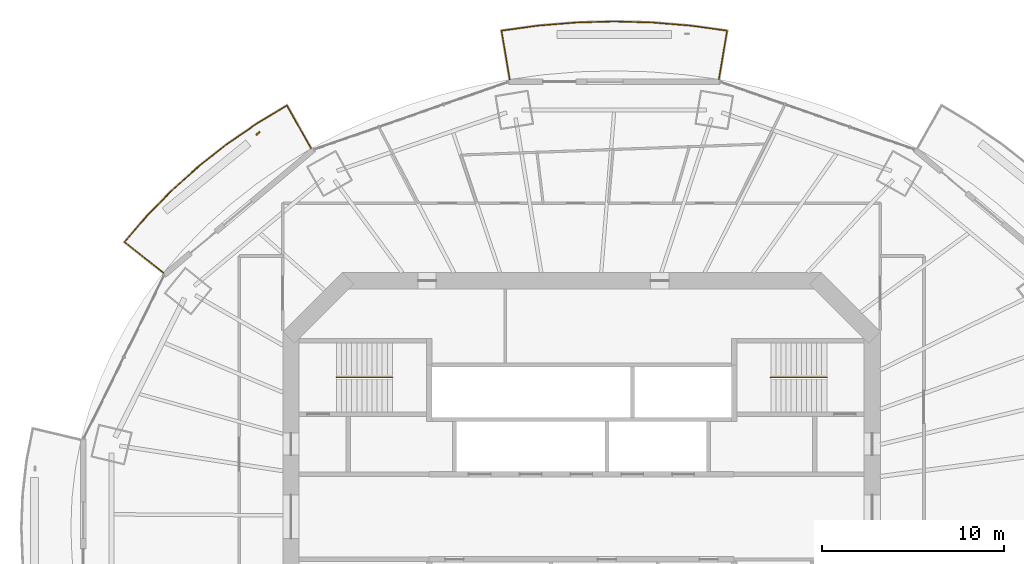
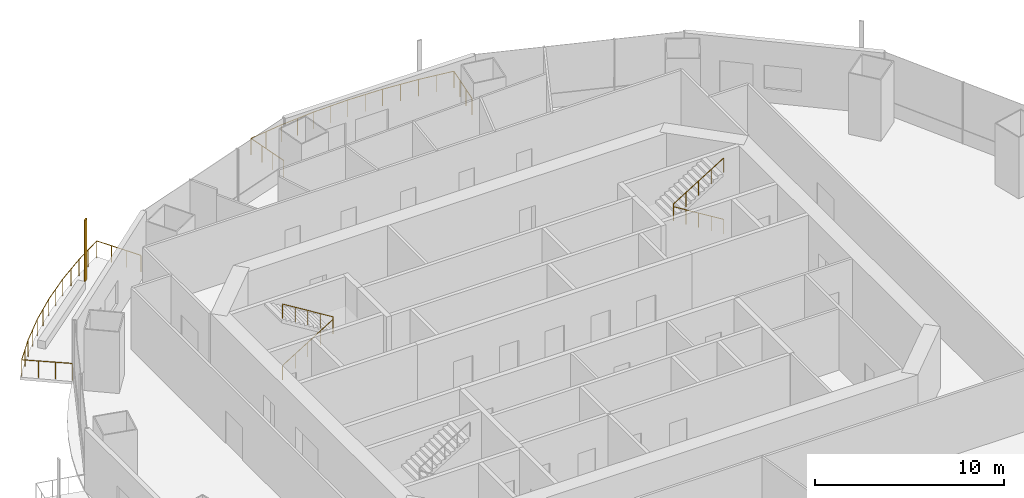
# One storey, part 17 of 19: 4 railings, 1 shading device.
"""IFC4 building model written with IfcOpenShell, lengths in metres."""

from ifc_helpers import new_model, si_unit, direction, frame, origin, origin_2d, place, context, subcontext, project, spatial, rectangle, circle, extrude, material, material_profile, profile_set, type_object, element, save


model = new_model("IFC4")

# Units and contexts
model_context = context("Model", 3, precision=1e-05, world=origin(), true_north=direction((0.0, 1.0)))
body_context = subcontext(model_context, "Body", "Model", "MODEL_VIEW")
ifc_project = project(units=[si_unit("LENGTHUNIT", "METRE"), si_unit("AREAUNIT", "SQUARE_METRE"), si_unit("VOLUMEUNIT", "CUBIC_METRE"), si_unit("PLANEANGLEUNIT", "RADIAN"), si_unit("MASSUNIT", "GRAM", prefix="KILO")], contexts=[model_context])

# Site, building, storey
site_placement = place(None, origin())
site = spatial("IfcSite", under=ifc_project, at=site_placement, CompositionType="ELEMENT")
building_placement = place(site_placement, origin())
building = spatial("IfcBuilding", under=site, at=building_placement, Name="Marenthal Gate Tower", CompositionType="ELEMENT")
storey_placement = place(building_placement, frame((0.0, 0.0, 248.199951171875)))
storey = spatial("IfcBuildingStorey", under=building, at=storey_placement, Name="L55", CompositionType="ELEMENT", Elevation=248.199951171875)

# Railings
ifc_material_1 = material(Name="Stainless steel", Category="steel")
railing_type_1 = type_object("IfcRailingType", Name="Balcony guard 1100", PredefinedType="GUARDRAIL", material=ifc_material_1)
railing_1_placement = place(storey_placement, frame((-3.958740234375, 24.083984375, 0.0)))
element("IfcRailing", 1, at=railing_1_placement, inside=storey, type_object=railing_type_1, Name="Balcony guard L55 bay 4", PredefinedType="GUARDRAIL", context=body_context, shape_type="SweptSolid", body=[
    extrude(circle(Radius=0.02392578125, at=origin_2d()), frame((0.0, 0.0, 1.076171875), z_axis=(-0.165050627973, 0.986175258386, -0.014719033707), x_axis=(-0.986282103159, -0.165068509984, 0.0)), (0.0, 0.0, 1.0), 2.72021484375),
    extrude(circle(Radius=0.02392578125, at=origin_2d()), frame((-0.448974609375, 2.6826171875, 1.0361328125), z_axis=(0.990661107933, 0.1363472377, 0.0), x_axis=(-0.1363472377, 0.990661107933, 0.0)), (0.0, 0.0, 1.0), 2.021484375),
    extrude(circle(Radius=0.02392578125, at=origin_2d()), frame((1.5537109375, 2.958251953125, 1.0361328125), z_axis=(0.996585629945, 0.082565623519, 0.0), x_axis=(-0.082565623519, 0.996585629945, 0.0)), (0.0, 0.0, 1.0), 2.105224609375),
    extrude(circle(Radius=0.02392578125, at=origin_2d()), frame((3.65185546875, 3.132080078125, 1.0361328125), z_axis=(0.999623123084, 0.02745199075, 0.0), x_axis=(-0.02745199075, 0.999623123084, 0.0)), (0.0, 0.0, 1.0), 2.107666015625),
    extrude(circle(Radius=0.02392578125, at=origin_2d()), frame((5.7587890625, 3.18994140625, 1.0361328125), z_axis=(0.999623123084, -0.02745199075, 0.0), x_axis=(0.02745199075, 0.999623123084, 0.0)), (0.0, 0.0, 1.0), 2.107666015625),
    extrude(circle(Radius=0.02392578125, at=origin_2d()), frame((7.86572265625, 3.132080078125, 1.0361328125), z_axis=(0.996585629945, -0.082565623519, 0.0), x_axis=(0.082565623519, 0.996585629945, 0.0)), (0.0, 0.0, 1.0), 2.105224609375),
    extrude(circle(Radius=0.02392578125, at=origin_2d()), frame((9.9638671875, 2.958251953125, 1.0361328125), z_axis=(0.990661107933, -0.1363472377, 0.0), x_axis=(0.1363472377, 0.990661107933, 0.0)), (0.0, 0.0, 1.0), 2.021484375),
    extrude(circle(Radius=0.02392578125, at=origin_2d()), frame((11.966552734375, 2.6826171875, 1.0361328125), z_axis=(-0.165050627973, -0.986175258386, 0.014719033707), x_axis=(0.986282103159, -0.165068509984, 0.0)), (0.0, 0.0, 1.0), 2.72021484375),
    extrude(circle(Radius=0.02099609375, at=origin_2d()), origin(), (0.0, 0.0, 1.0), 1.052001953125),
    extrude(circle(Radius=0.02099609375, at=origin_2d()), frame((-0.149658203125, 0.894287109375, -0.013427734375)), (0.0, 0.0, 1.0), 1.052001953125),
    extrude(circle(Radius=0.02099609375, at=origin_2d()), frame((-0.29931640625, 1.788330078125, -0.026611328125)), (0.0, 0.0, 1.0), 1.052001953125),
    extrude(circle(Radius=0.02099609375, at=origin_2d()), frame((-0.448974609375, 2.6826171875, -0.0400390625)), (0.0, 0.0, 1.0), 1.052001953125),
    extrude(circle(Radius=0.02099609375, at=origin_2d()), frame((0.55224609375, 2.8203125, -0.0400390625)), (0.0, 0.0, 1.0), 1.052001953125),
    extrude(circle(Radius=0.02099609375, at=origin_2d()), frame((1.5537109375, 2.958251953125, -0.0400390625)), (0.0, 0.0, 1.0), 1.052001953125),
    extrude(circle(Radius=0.02099609375, at=origin_2d()), frame((2.602783203125, 3.045166015625, -0.0400390625)), (0.0, 0.0, 1.0), 1.052001953125),
    extrude(circle(Radius=0.02099609375, at=origin_2d()), frame((3.65185546875, 3.132080078125, -0.0400390625)), (0.0, 0.0, 1.0), 1.052001953125),
    extrude(circle(Radius=0.02099609375, at=origin_2d()), frame((4.705322265625, 3.1611328125, -0.0400390625)), (0.0, 0.0, 1.0), 1.052001953125),
    extrude(circle(Radius=0.02099609375, at=origin_2d()), frame((5.7587890625, 3.18994140625, -0.0400390625)), (0.0, 0.0, 1.0), 1.052001953125),
    extrude(circle(Radius=0.02099609375, at=origin_2d()), frame((6.812255859375, 3.1611328125, -0.0400390625)), (0.0, 0.0, 1.0), 1.052001953125),
    extrude(circle(Radius=0.02099609375, at=origin_2d()), frame((7.86572265625, 3.132080078125, -0.0400390625)), (0.0, 0.0, 1.0), 1.052001953125),
    extrude(circle(Radius=0.02099609375, at=origin_2d()), frame((8.914794921875, 3.045166015625, -0.0400390625)), (0.0, 0.0, 1.0), 1.052001953125),
    extrude(circle(Radius=0.02099609375, at=origin_2d()), frame((9.9638671875, 2.958251953125, -0.0400390625)), (0.0, 0.0, 1.0), 1.052001953125),
    extrude(circle(Radius=0.02099609375, at=origin_2d()), frame((10.96533203125, 2.8203125, -0.0400390625)), (0.0, 0.0, 1.0), 1.052001953125),
    extrude(circle(Radius=0.02099609375, at=origin_2d()), frame((11.966552734375, 2.6826171875, -0.0400390625)), (0.0, 0.0, 1.0), 1.052001953125),
    extrude(circle(Radius=0.02099609375, at=origin_2d()), frame((11.81689453125, 1.788330078125, -0.026611328125)), (0.0, 0.0, 1.0), 1.052001953125),
    extrude(circle(Radius=0.02099609375, at=origin_2d()), frame((11.667236328125, 0.894287109375, -0.013427734375)), (0.0, 0.0, 1.0), 1.052001953125),
    extrude(circle(Radius=0.02099609375, at=origin_2d()), frame((11.517578125, 0.0, 0.0)), (0.0, 0.0, 1.0), 1.052001953125),
])
railing_2_placement = place(storey_placement, frame((-23.0302734375, 13.4375, 0.0)))
element("IfcRailing", 2, at=railing_2_placement, inside=storey, type_object=railing_type_1, Name="Balcony guard L55 bay 6", PredefinedType="GUARDRAIL", context=body_context, shape_type="SweptSolid", body=[
    extrude(circle(Radius=0.02392578125, at=origin_2d()), frame((0.0, 0.0, 1.076171875), z_axis=(-0.783055581805, 0.621777543925, -0.014718752483), x_axis=(-0.621844906334, -0.783140416826, 0.0)), (0.0, 0.0, 1.0), 2.72021484375),
    extrude(circle(Radius=0.02392578125, at=origin_2d()), frame((-2.130126953125, 1.69140625, 1.0361328125), z_axis=(0.649809223688, 0.760097344298, 0.0), x_axis=(-0.760097344298, 0.649809223688, 0.0)), (0.0, 0.0, 1.0), 1.864013671875),
    extrude(circle(Radius=0.02392578125, at=origin_2d()), frame((-0.9189453125, 3.108154296875, 1.0361328125), z_axis=(0.698521536326, 0.715589032398, 0.0), x_axis=(-0.715589032398, 0.698521536326, 0.0)), (0.0, 0.0, 1.0), 1.959716796875),
    extrude(circle(Radius=0.02392578125, at=origin_2d()), frame((0.449951171875, 4.510498046875, 1.0361328125), z_axis=(0.744141474821, 0.668022054614, 0.0), x_axis=(-0.668022054614, 0.744141474821, 0.0)), (0.0, 0.0, 1.0), 1.975830078125),
    extrude(circle(Radius=0.02392578125, at=origin_2d()), frame((1.920166015625, 5.830322265625, 1.0361328125), z_axis=(0.785663114819, 0.618654564367, 0.0), x_axis=(-0.618654564367, 0.785663114819, 0.0)), (0.0, 0.0, 1.0), 1.992431640625),
    extrude(circle(Radius=0.02392578125, at=origin_2d()), frame((3.485595703125, 7.06298828125, 1.0361328125), z_axis=(0.823118749267, 0.567869284787, 0.0), x_axis=(-0.567869284787, 0.823118749267, 0.0)), (0.0, 0.0, 1.0), 2.008544921875),
    extrude(circle(Radius=0.02392578125, at=origin_2d()), frame((5.138916015625, 8.20361328125, 1.0361328125), z_axis=(0.855893544478, 0.517152047778, 0.0), x_axis=(-0.517152047778, 0.855893544478, 0.0)), (0.0, 0.0, 1.0), 1.944580078125),
    extrude(circle(Radius=0.02392578125, at=origin_2d()), frame((6.80322265625, 9.209228515625, 1.0361328125), z_axis=(0.490003601749, -0.871596150217, 0.014718056902), x_axis=(0.871690568659, 0.490056682957, 0.0)), (0.0, 0.0, 1.0), 2.720458984375),
    extrude(circle(Radius=0.02099609375, at=origin_2d()), origin(), (0.0, 0.0, 1.0), 1.052001953125),
    extrude(circle(Radius=0.02099609375, at=origin_2d()), frame((-0.7099609375, 0.563720703125, -0.013427734375)), (0.0, 0.0, 1.0), 1.052001953125),
    extrude(circle(Radius=0.02099609375, at=origin_2d()), frame((-1.420166015625, 1.127685546875, -0.026611328125)), (0.0, 0.0, 1.0), 1.052001953125),
    extrude(circle(Radius=0.02099609375, at=origin_2d()), frame((-2.130126953125, 1.69140625, -0.0400390625)), (0.0, 0.0, 1.0), 1.052001953125),
    extrude(circle(Radius=0.02099609375, at=origin_2d()), frame((-1.5244140625, 2.39990234375, -0.0400390625)), (0.0, 0.0, 1.0), 1.052001953125),
    extrude(circle(Radius=0.02099609375, at=origin_2d()), frame((-0.9189453125, 3.108154296875, -0.0400390625)), (0.0, 0.0, 1.0), 1.052001953125),
    extrude(circle(Radius=0.02099609375, at=origin_2d()), frame((-0.234375, 3.809326171875, -0.0400390625)), (0.0, 0.0, 1.0), 1.052001953125),
    extrude(circle(Radius=0.02099609375, at=origin_2d()), frame((0.449951171875, 4.510498046875, -0.0400390625)), (0.0, 0.0, 1.0), 1.052001953125),
    extrude(circle(Radius=0.02099609375, at=origin_2d()), frame((1.18505859375, 5.17041015625, -0.0400390625)), (0.0, 0.0, 1.0), 1.052001953125),
    extrude(circle(Radius=0.02099609375, at=origin_2d()), frame((1.920166015625, 5.830322265625, -0.0400390625)), (0.0, 0.0, 1.0), 1.052001953125),
    extrude(circle(Radius=0.02099609375, at=origin_2d()), frame((2.702880859375, 6.44677734375, -0.0400390625)), (0.0, 0.0, 1.0), 1.052001953125),
    extrude(circle(Radius=0.02099609375, at=origin_2d()), frame((3.485595703125, 7.06298828125, -0.0400390625)), (0.0, 0.0, 1.0), 1.052001953125),
    extrude(circle(Radius=0.02099609375, at=origin_2d()), frame((4.312255859375, 7.63330078125, -0.0400390625)), (0.0, 0.0, 1.0), 1.052001953125),
    extrude(circle(Radius=0.02099609375, at=origin_2d()), frame((5.138916015625, 8.20361328125, -0.0400390625)), (0.0, 0.0, 1.0), 1.052001953125),
    extrude(circle(Radius=0.02099609375, at=origin_2d()), frame((5.97119140625, 8.70654296875, -0.0400390625)), (0.0, 0.0, 1.0), 1.052001953125),
    extrude(circle(Radius=0.02099609375, at=origin_2d()), frame((6.80322265625, 9.209228515625, -0.0400390625)), (0.0, 0.0, 1.0), 1.052001953125),
    extrude(circle(Radius=0.02099609375, at=origin_2d()), frame((7.24755859375, 8.4189453125, -0.026611328125)), (0.0, 0.0, 1.0), 1.052001953125),
    extrude(circle(Radius=0.02099609375, at=origin_2d()), frame((7.69189453125, 7.62841796875, -0.013427734375)), (0.0, 0.0, 1.0), 1.052001953125),
    extrude(circle(Radius=0.02099609375, at=origin_2d()), frame((8.13623046875, 6.838134765625, 0.0)), (0.0, 0.0, 1.0), 1.052001953125),
])
ifc_material_2 = material(Name="Stainless steel", Category="steel")
railing_type_2 = type_object("IfcRailingType", Name="Stair handrail", PredefinedType="HANDRAIL", material=ifc_material_2)
railing_3_placement = place(storey_placement, frame((-13.5, 7.675048828125, 0.1728515625)))
element("IfcRailing", 3, at=railing_3_placement, inside=storey, type_object=railing_type_2, Name="Handrail ST1", PredefinedType="HANDRAIL", context=body_context, shape_type="SweptSolid", body=[
    extrude(circle(Radius=0.0224609375, at=origin_2d()), frame((0.0, 0.0, 0.927490234375), z_axis=(0.850835241893, 0.0, 0.525432575268), x_axis=(0.0, 1.0, 0.0)), (0.0, 0.0, 1.0), 3.6201171875),
    extrude(circle(Radius=0.0224609375, at=origin_2d()), frame((3.080078125, 0.0, 2.82958984375), z_axis=(0.0, 0.0, 1.0), x_axis=(1.0, 0.0, 0.0)), (0.0, 0.0, 1.0), 0.173095703125),
    extrude(circle(Radius=0.0224609375, at=origin_2d()), frame((3.080078125, 0.0, 3.002685546875), z_axis=(-0.850835241893, 0.0, 0.525432575268), x_axis=(0.0, -1.0, 0.0)), (0.0, 0.0, 1.0), 3.6201171875),
    extrude(circle(Radius=0.02001953125, at=origin_2d()), origin(), (0.0, 0.0, 1.0), 0.905029296875),
    extrude(circle(Radius=0.02001953125, at=origin_2d()), frame((0.77001953125, 0.0, 0.4755859375)), (0.0, 0.0, 1.0), 0.905029296875),
    extrude(circle(Radius=0.02001953125, at=origin_2d()), frame((1.5400390625, 0.0, 0.951171875)), (0.0, 0.0, 1.0), 0.905029296875),
    extrude(circle(Radius=0.02001953125, at=origin_2d()), frame((2.31005859375, 0.0, 1.426513671875)), (0.0, 0.0, 1.0), 0.905029296875),
    extrude(circle(Radius=0.02001953125, at=origin_2d()), frame((3.080078125, 0.0, 1.902099609375)), (0.0, 0.0, 1.0), 0.905029296875),
    extrude(circle(Radius=0.02001953125, at=origin_2d()), frame((3.080078125, 0.0, 2.0751953125)), (0.0, 0.0, 1.0), 0.905029296875),
    extrude(circle(Radius=0.02001953125, at=origin_2d()), frame((2.31005859375, 0.0, 2.55078125)), (0.0, 0.0, 1.0), 0.905029296875),
    extrude(circle(Radius=0.02001953125, at=origin_2d()), frame((1.5400390625, 0.0, 3.0263671875)), (0.0, 0.0, 1.0), 0.905029296875),
    extrude(circle(Radius=0.02001953125, at=origin_2d()), frame((0.77001953125, 0.0, 3.501708984375)), (0.0, 0.0, 1.0), 0.905029296875),
    extrude(circle(Radius=0.02001953125, at=origin_2d()), frame((0.0, 0.0, 3.977294921875)), (0.0, 0.0, 1.0), 0.905029296875),
])
railing_4_placement = place(storey_placement, frame((13.5, 7.675048828125, 0.1728515625)))
element("IfcRailing", 4, at=railing_4_placement, inside=storey, type_object=railing_type_2, Name="Handrail ST3", PredefinedType="HANDRAIL", context=body_context, shape_type="SweptSolid", body=[
    extrude(circle(Radius=0.0224609375, at=origin_2d()), frame((0.0, 0.0, 0.927490234375), z_axis=(-0.850835241893, 0.0, 0.525432575268), x_axis=(0.0, -1.0, 0.0)), (0.0, 0.0, 1.0), 3.6201171875),
    extrude(circle(Radius=0.0224609375, at=origin_2d()), frame((-3.080078125, 0.0, 2.82958984375), z_axis=(0.0, 0.0, 1.0), x_axis=(1.0, 0.0, 0.0)), (0.0, 0.0, 1.0), 0.173095703125),
    extrude(circle(Radius=0.0224609375, at=origin_2d()), frame((-3.080078125, 0.0, 3.002685546875), z_axis=(0.850835241893, 0.0, 0.525432575268), x_axis=(0.0, 1.0, 0.0)), (0.0, 0.0, 1.0), 3.6201171875),
    extrude(circle(Radius=0.02001953125, at=origin_2d()), origin(), (0.0, 0.0, 1.0), 0.905029296875),
    extrude(circle(Radius=0.02001953125, at=origin_2d()), frame((-0.77001953125, 0.0, 0.4755859375)), (0.0, 0.0, 1.0), 0.905029296875),
    extrude(circle(Radius=0.02001953125, at=origin_2d()), frame((-1.5400390625, 0.0, 0.951171875)), (0.0, 0.0, 1.0), 0.905029296875),
    extrude(circle(Radius=0.02001953125, at=origin_2d()), frame((-2.31005859375, 0.0, 1.426513671875)), (0.0, 0.0, 1.0), 0.905029296875),
    extrude(circle(Radius=0.02001953125, at=origin_2d()), frame((-3.080078125, 0.0, 1.902099609375)), (0.0, 0.0, 1.0), 0.905029296875),
    extrude(circle(Radius=0.02001953125, at=origin_2d()), frame((-3.080078125, 0.0, 2.0751953125)), (0.0, 0.0, 1.0), 0.905029296875),
    extrude(circle(Radius=0.02001953125, at=origin_2d()), frame((-2.31005859375, 0.0, 2.55078125)), (0.0, 0.0, 1.0), 0.905029296875),
    extrude(circle(Radius=0.02001953125, at=origin_2d()), frame((-1.5400390625, 0.0, 3.0263671875)), (0.0, 0.0, 1.0), 0.905029296875),
    extrude(circle(Radius=0.02001953125, at=origin_2d()), frame((-0.77001953125, 0.0, 3.501708984375)), (0.0, 0.0, 1.0), 0.905029296875),
    extrude(circle(Radius=0.02001953125, at=origin_2d()), frame((0.0, 0.0, 3.977294921875)), (0.0, 0.0, 1.0), 0.905029296875),
])

# Shading device
ifc_material_3 = material(Name="Terracotta", Category="masonry")
ifc_material_profile = material_profile(ifc_material_3, rectangle(XDim=0.25, YDim=0.080078125, at=origin_2d()), Name="Terracotta baguette 250x80")
ifc_profile_set = profile_set([ifc_material_profile], Name="Terracotta")
shading_device_type = type_object("IfcShadingDeviceType", Name="Terracotta BAGUETTE SCREEN 250x80", PredefinedType="USERDEFINED", material=ifc_profile_set)
shading_device_placement = place(storey_placement, frame((-17.817626953125, 21.109619140625, -0.0400390625), z_axis=(0.0, 0.0, 1.0), x_axis=(-0.765398416376, -0.643556729597, 0.0)))
element("IfcShadingDevice", 5, at=shading_device_placement, inside=storey, type_object=shading_device_type, Name="Terracotta BAGUETTE L55 bay 6L", ObjectType="BAGUETTE SCREEN", PredefinedType="USERDEFINED", context=body_context, shape_type="SweptSolid", body=[
    extrude(rectangle(XDim=0.25, YDim=0.080078125, at=origin_2d()), origin(), (0.0, 0.0, 1.0), 3.969970703125),
])

save(model, "model.ifc")
